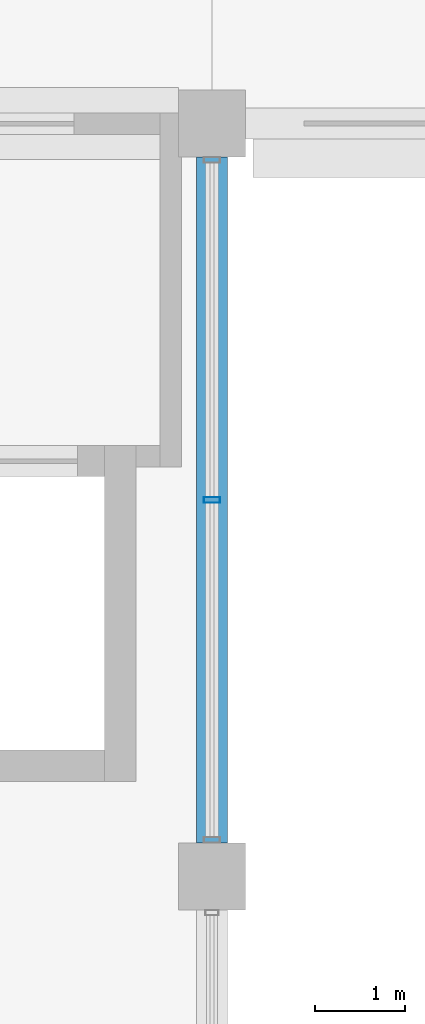
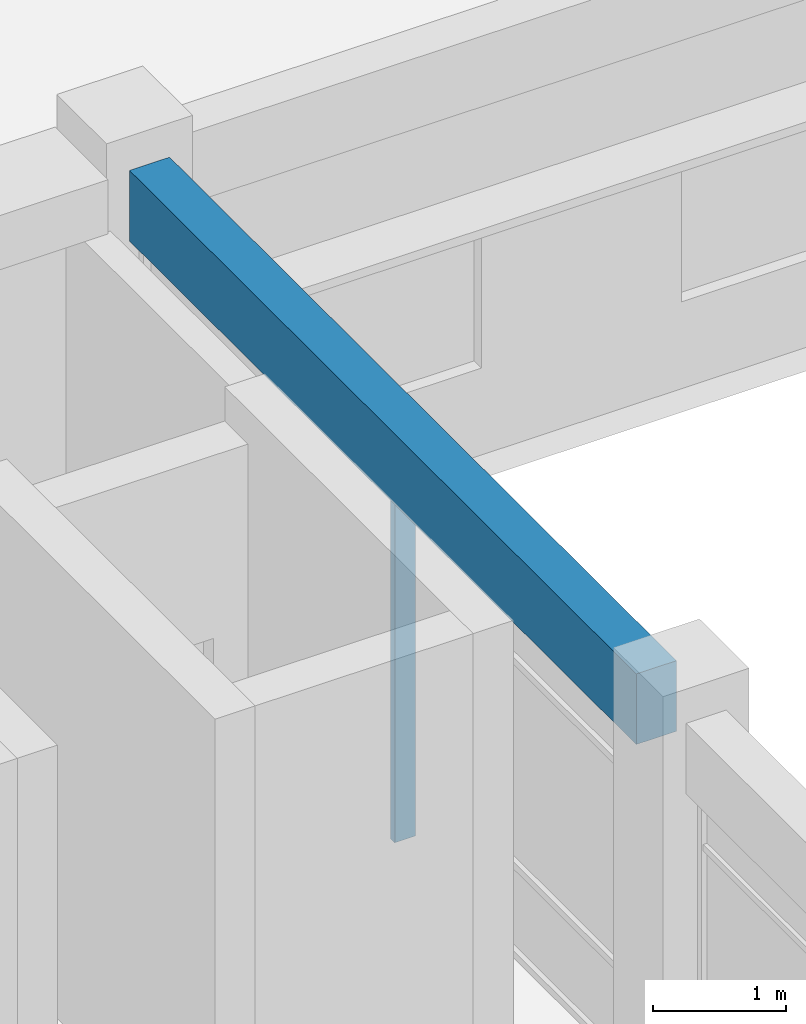
# One storey, part 3 of 53: 1 beam, 1 member, 1 element without a shape of its own.
"""IFC4 building model written with IfcOpenShell, lengths in metres."""

from ifc_helpers import new_model, si_unit, direction, frame, origin, origin_2d, place, context, subcontext, project, spatial, rectangle, hollow_rectangle, extrude, material, material_profile, profile_set, type_object, element, aggregate, save


model = new_model("IFC4")

# Units and contexts
model_context = context("Model", 3, precision=1e-05, world=origin(), true_north=direction((0.0, 1.0)))
body_context = subcontext(model_context, "Body", "Model", "MODEL_VIEW")
ifc_project = project(units=[si_unit("LENGTHUNIT", "METRE"), si_unit("AREAUNIT", "SQUARE_METRE"), si_unit("VOLUMEUNIT", "CUBIC_METRE"), si_unit("PLANEANGLEUNIT", "RADIAN"), si_unit("MASSUNIT", "GRAM", prefix="KILO"), si_unit("THERMODYNAMICTEMPERATUREUNIT", "KELVIN"), si_unit("POWERUNIT", "WATT")], contexts=[model_context])

# Site, building, storey
site_placement = place(None, origin())
site = spatial("IfcSite", under=ifc_project, at=site_placement, CompositionType="ELEMENT")
building_placement = place(site_placement, origin())
building = spatial("IfcBuilding", under=site, at=building_placement, Name="Srebrne Nadtorze General Hospital", CompositionType="ELEMENT")
storey_placement = place(building_placement, frame((0.0, 0.0, 18.0)))
storey = spatial("IfcBuildingStorey", under=building, at=storey_placement, Name="L04", CompositionType="ELEMENT", Elevation=18.0)

# Curtain wall, member
ifc_material_1 = material(Name="Anodised Aluminium", Category="aluminium")
curtain_wall_type = type_object("IfcCurtainWallType", Name="Unitised curtain wall 7650x3235", PredefinedType="NOTDEFINED", material=ifc_material_1)
curtain_wall_placement = place(storey_placement, origin())
curtain_wall = element("IfcCurtainWall", 1, at=curtain_wall_placement, inside=storey, type_object=curtain_wall_type, Name="Curtain wall CW-107", PredefinedType="NOTDEFINED")
ifc_material_2 = material(Name="Anodised Aluminium", Category="aluminium")
ifc_material_profile_1 = material_profile(ifc_material_2, hollow_rectangle(XDim=0.06494140625, YDim=0.179931640625, WallThickness=0.00390625, at=origin_2d()), Name="AL-MUL-65x180")
ifc_profile_set_1 = profile_set([ifc_material_profile_1], Name="Anodised Aluminium")
member_type = type_object("IfcMemberType", Name="Curtain mullion 65x180", PredefinedType="MULLION", material=ifc_profile_set_1)
member_placement = place(storey_placement, frame((54.60009765625, 46.199951171875, 0.0), z_axis=(0.0, 0.0, 1.0), x_axis=(0.0, 1.0, 0.0)))
member = element("IfcMember", 2, at=member_placement, type_object=member_type, Name="CW-107 mullion 2", PredefinedType="MULLION", context=body_context, shape_type="SweptSolid", body=[
    extrude(hollow_rectangle(XDim=0.06494140625, YDim=0.179931640625, WallThickness=0.00390625, at=origin_2d()), origin(), (0.0, 0.0, 1.0), 3.235107421875),
])
aggregate(curtain_wall, [member])

# Beam
ifc_material_3 = material(Name="Concrete C35/45", Category="concrete")
ifc_material_profile_2 = material_profile(ifc_material_3, rectangle(XDim=0.35009765625, YDim=0.64990234375, at=origin_2d()), Name="RC-BM-350x650")
ifc_profile_set_2 = profile_set([ifc_material_profile_2], Name="Concrete C35/45")
beam_type = type_object("IfcBeamType", Name="Edge beam RC 350x650", PredefinedType="BEAM", material=ifc_profile_set_2)
beam_placement = place(storey_placement, frame((54.60009765625, 42.375, 3.56005859375), z_axis=(0.0, 1.0, 0.0), x_axis=(-1.0, 0.0, 0.0)))
element("IfcBeam", 3, at=beam_placement, inside=storey, type_object=beam_type, Name="Beam BM-L04-Y-0951", PredefinedType="BEAM", context=body_context, shape_type="SweptSolid", body=[
    extrude(rectangle(XDim=0.35009765625, YDim=0.64990234375, at=origin_2d()), origin(), (0.0, 0.0, 1.0), 7.64990234375),
])

save(model, "model.ifc")
